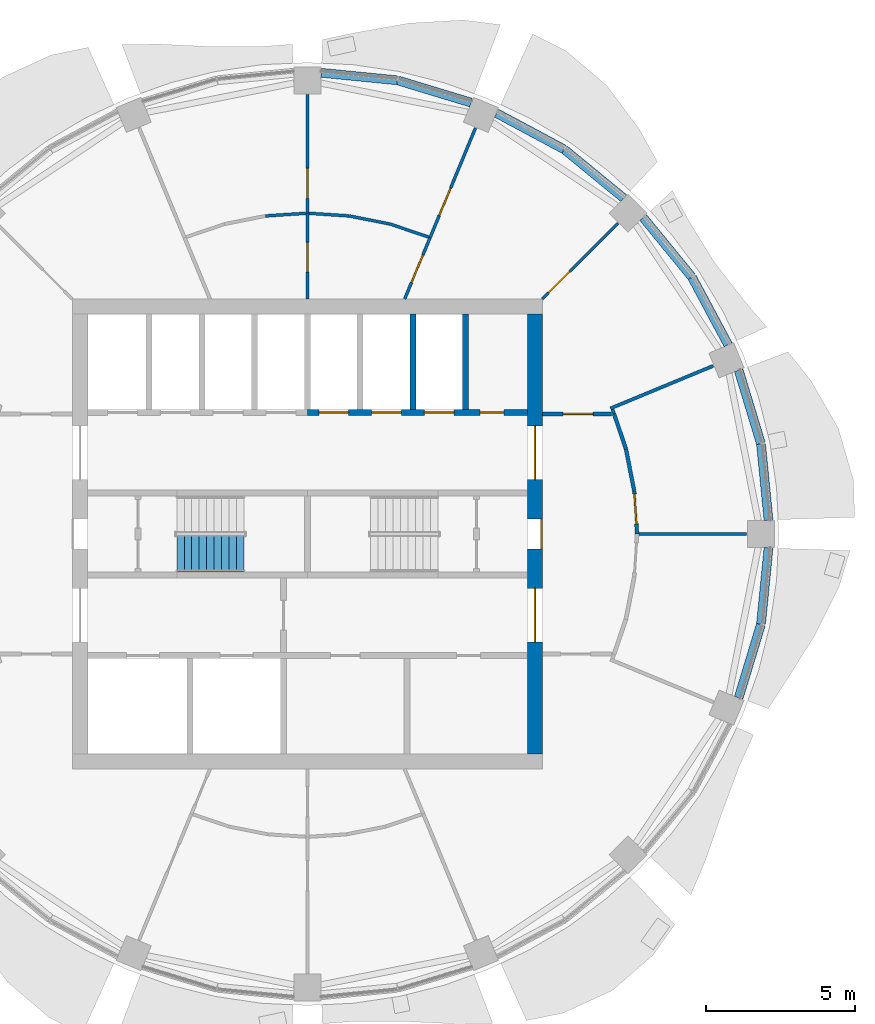
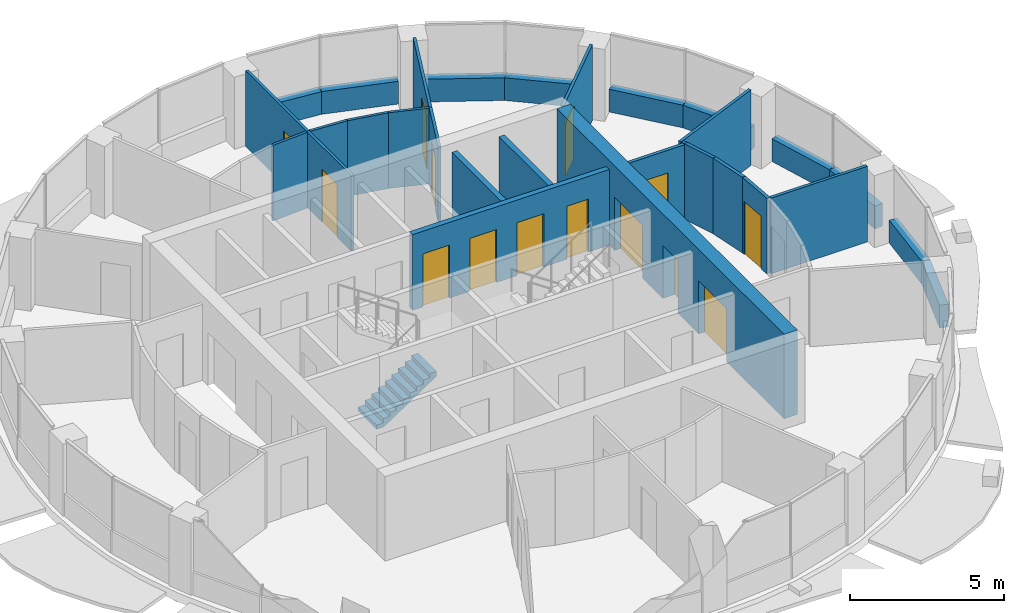
# One storey, part 9 of 14: 30 walls, 14 doors, 1 stair flight, 14 openings, 1 element without a shape of its own.
"""IFC4 building model written with IfcOpenShell, lengths in metres."""

from ifc_helpers import new_model, si_unit, direction, frame, frame_2d, origin, place, context, subcontext, project, spatial, polyline, rectangle, outline, extrude, material, layer, layer_set, type_object, element, fill, aggregate, save


model = new_model("IFC4")

# Units and contexts
model_context = context("Model", 3, precision=1e-05, world=origin(), true_north=direction((0.0, 1.0)))
body_context = subcontext(model_context, "Body", "Model", "MODEL_VIEW")
ifc_project = project(units=[si_unit("LENGTHUNIT", "METRE"), si_unit("AREAUNIT", "SQUARE_METRE"), si_unit("VOLUMEUNIT", "CUBIC_METRE"), si_unit("PLANEANGLEUNIT", "RADIAN"), si_unit("MASSUNIT", "GRAM", prefix="KILO")], contexts=[model_context])

# Site, building, storey
site_placement = place(None, origin())
site = spatial("IfcSite", under=ifc_project, at=site_placement, CompositionType="ELEMENT")
building_placement = place(site_placement, origin())
building = spatial("IfcBuilding", under=site, at=building_placement, Name="Polderwave Tower", CompositionType="ELEMENT")
storey_placement = place(building_placement, frame((0.0, 0.0, 221.14990234375)))
storey = spatial("IfcBuildingStorey", under=building, at=storey_placement, Name="L60", CompositionType="ELEMENT", Elevation=221.14990234375)

# Wall, openings, doors
ifc_material_1 = material(Name="Concrete C60/75", Category="concrete")
ifc_layer_1 = layer(ifc_material_1, 0.5)
ifc_layer_set_1 = layer_set([ifc_layer_1], Name="CORE WALL 500 C60/75")
wall_type_1 = type_object("IfcWallType", Name="CORE WALL 500 C60/75", PredefinedType="SHEAR", material=ifc_layer_set_1)
wall_1_placement = place(storey_placement, frame((7.6240234375, -7.3740234375, 0.0), z_axis=(0.0, 0.0, 1.0), x_axis=(0.0, 1.0, 0.0)))
wall_1 = element("IfcWall", 1, at=wall_1_placement, inside=storey, type_object=wall_type_1, Name="ST-CORE-L60-E", PredefinedType="SHEAR", context=body_context, shape_type="SweptSolid", body=[
    extrude(rectangle(XDim=14.748046875, YDim=0.5, at=frame_2d((7.3740234375, 0.0))), origin(), (0.0, 0.0, 1.0), 3.35009765625),
])
opening_1_placement = place(wall_1_placement, frame((6.8740234375, 0.0, 0.0)))
opening_1 = element("IfcOpeningElement", 2, at=opening_1_placement, cuts=wall_1, Name="Opening L60-D21", PredefinedType="OPENING", context=body_context, shape_type="SweptSolid", body=[
    extrude(rectangle(XDim=1.0, YDim=2.10009765625, at=frame_2d((0.5, 1.050048828125))), frame((0.0, 0.260009765625, 0.0), z_axis=(0.0, -1.0, 0.0), x_axis=(1.0, 0.0, 0.0)), (0.0, 0.0, 1.0), 0.52001953125),
])
opening_2_placement = place(wall_1_placement, frame((3.74951171875, 0.0, 0.0)))
opening_2 = element("IfcOpeningElement", 3, at=opening_2_placement, cuts=wall_1, Name="Opening L60-D22", PredefinedType="OPENING", context=body_context, shape_type="SweptSolid", body=[
    extrude(rectangle(XDim=1.800048828125, YDim=2.10009765625, at=frame_2d((0.89990234375, 1.050048828125))), frame((0.0, 0.260009765625, 0.0), z_axis=(0.0, -1.0, 0.0), x_axis=(1.0, 0.0, 0.0)), (0.0, 0.0, 1.0), 0.52001953125),
])
opening_3_placement = place(wall_1_placement, frame((9.198486328125, 0.0, 0.0)))
opening_3 = element("IfcOpeningElement", 4, at=opening_3_placement, cuts=wall_1, Name="Opening L60-D23", PredefinedType="OPENING", context=body_context, shape_type="SweptSolid", body=[
    extrude(rectangle(XDim=1.800048828125, YDim=2.10009765625, at=frame_2d((0.89990234375, 1.050048828125))), frame((0.0, 0.260009765625, 0.0), z_axis=(0.0, -1.0, 0.0), x_axis=(1.0, 0.0, 0.0)), (0.0, 0.0, 1.0), 0.52001953125),
])
ifc_material_2 = material(Name="Steel fire door", Category="steel")
door_type_1 = type_object("IfcDoorType", Name="Lobby entry door pair 1800", OperationType="DOUBLE_DOOR_SINGLE_SWING", PredefinedType="DOOR", material=ifc_material_2)
door_1_placement = place(opening_2_placement, frame((1.800048828125, 0.0, 0.0), z_axis=(0.0, 0.0, 1.0), x_axis=(-1.0, 0.0, 0.0)))
door_1 = element("IfcDoor", 5, at=door_1_placement, inside=storey, type_object=door_type_1, Name="South lobby entry door", OperationType="DOUBLE_DOOR_SINGLE_SWING", OverallHeight=2.10009765625, OverallWidth=1.800048828125, PredefinedType="DOOR", context=body_context, shape_type="SweptSolid", body=[
    extrude(rectangle(XDim=1.800048828125, YDim=2.10009765625, at=frame_2d((0.89990234375, 1.050048828125))), frame((0.0, 0.02490234375, 0.0), z_axis=(0.0, -1.0, 0.0), x_axis=(1.0, 0.0, 0.0)), (0.0, 0.0, 1.0), 0.050048828125),
])
fill(opening_2, door_1)
door_2_placement = place(opening_3_placement, frame((1.800048828125, 0.0, 0.0), z_axis=(0.0, 0.0, 1.0), x_axis=(-1.0, 0.0, 0.0)))
door_2 = element("IfcDoor", 6, at=door_2_placement, inside=storey, type_object=door_type_1, Name="North lobby entry door", OperationType="DOUBLE_DOOR_SINGLE_SWING", OverallHeight=2.10009765625, OverallWidth=1.800048828125, PredefinedType="DOOR", context=body_context, shape_type="SweptSolid", body=[
    extrude(rectangle(XDim=1.800048828125, YDim=2.10009765625, at=frame_2d((0.89990234375, 1.050048828125))), frame((0.0, 0.02490234375, 0.0), z_axis=(0.0, -1.0, 0.0), x_axis=(1.0, 0.0, 0.0)), (0.0, 0.0, 1.0), 0.050048828125),
])
fill(opening_3, door_2)
door_type_2 = type_object("IfcDoorType", Name="Stair door 1000", OperationType="NOTDEFINED", PredefinedType="DOOR", material=ifc_material_2)
door_3_placement = place(opening_1_placement, frame((1.0, 0.0, 0.0), z_axis=(0.0, 0.0, 1.0), x_axis=(-1.0, 0.0, 0.0)))
door_3 = element("IfcDoor", 7, at=door_3_placement, inside=storey, type_object=door_type_2, Name="Stair B entry door", OperationType="SINGLE_SWING_LEFT", OverallHeight=2.10009765625, OverallWidth=1.0, PredefinedType="DOOR", context=body_context, shape_type="SweptSolid", body=[
    extrude(rectangle(XDim=1.0, YDim=2.10009765625, at=frame_2d((0.5, 1.050048828125))), frame((0.0, 0.25, 0.0), z_axis=(0.0, -1.0, 0.0), x_axis=(1.0, 0.0, 0.0)), (0.0, 0.0, 1.0), 0.050048828125),
])
fill(opening_1, door_3)

# Walls
ifc_material_3 = material(Name="Concrete C50/60 (board-marked)", Category="concrete")
ifc_layer_2 = layer(ifc_material_3, 0.300048828125)
ifc_layer_set_2 = layer_set([ifc_layer_2], Name="Concrete spandrel upstand C50/60")
wall_type_2 = type_object("IfcWallType", Name="Concrete spandrel upstand C50/60", PredefinedType="SOLIDWALL", material=ifc_layer_set_2)
wall_2_placement = place(storey_placement, frame((15.45458984375, 0.4638671875, 0.0), z_axis=(0.0, 0.0, 1.0), x_axis=(-0.09813315545, 0.995173293352, 0.0)))
element("IfcWall", 8, at=wall_2_placement, inside=storey, type_object=wall_type_2, Name="Spandrel L60 1a", PredefinedType="SOLIDWALL", context=body_context, shape_type="SweptSolid", body=[
    extrude(rectangle(XDim=2.5576171875, YDim=0.300048828125, at=frame_2d((1.27880859375, 0.0))), origin(), (0.0, 0.0, 1.0), 0.900146484375),
])
wall_3_placement = place(storey_placement, frame((15.197509765625, 3.038330078125, 0.0), z_axis=(0.0, 0.0, 1.0), x_axis=(-0.290219358397, 0.956960147557, 0.0)))
element("IfcWall", 9, at=wall_3_placement, inside=storey, type_object=wall_type_2, Name="Spandrel L60 1b", PredefinedType="SOLIDWALL", context=body_context, shape_type="SweptSolid", body=[
    extrude(rectangle(XDim=2.557373046875, YDim=0.300048828125, at=frame_2d((1.27880859375, 0.0))), origin(), (0.0, 0.0, 1.0), 0.900146484375),
])
wall_4_placement = place(storey_placement, frame((14.099853515625, 6.34326171875, 0.0), z_axis=(0.0, 0.0, 1.0), x_axis=(-0.471603904468, 0.881810499649, 0.0)))
element("IfcWall", 10, at=wall_4_placement, inside=storey, type_object=wall_type_2, Name="Spandrel L60 2a", PredefinedType="SOLIDWALL", context=body_context, shape_type="SweptSolid", body=[
    extrude(rectangle(XDim=2.556884765625, YDim=0.300048828125, at=frame_2d((1.2783203125, 0.0))), origin(), (0.0, 0.0, 1.0), 0.900146484375),
])
for number, where, z_axis, x_axis, name in (
    (11, (12.87744140625, 8.62255859375, 0.0), (0.0, 0.0, 1.0), (-0.634089861662, 0.773259366149, 0.0), "Spandrel L60 2b"),
    (12, (10.600341796875, 11.255615234375, 0.0), (0.0, 0.0, 1.0), (-0.773259366149, 0.634089861662, 0.0), "Spandrel L60 3a"),
):
    element("IfcWall", number, at=place(storey_placement, frame(where, z_axis=z_axis, x_axis=x_axis)), inside=storey, type_object=wall_type_2, Name=name, PredefinedType="SOLIDWALL", context=body_context, shape_type="SweptSolid", body=[
        extrude(rectangle(XDim=2.5576171875, YDim=0.300048828125, at=frame_2d((1.27880859375, 0.0))), origin(), (0.0, 0.0, 1.0), 0.900146484375),
    ])
wall_5_placement = place(storey_placement, frame((8.597900390625, 12.89404296875, 0.0), z_axis=(0.0, 0.0, 1.0), x_axis=(-0.881810499649, 0.471603904468, 0.0)))
element("IfcWall", 13, at=wall_5_placement, inside=storey, type_object=wall_type_2, Name="Spandrel L60 3b", PredefinedType="SOLIDWALL", context=body_context, shape_type="SweptSolid", body=[
    extrude(rectangle(XDim=2.556884765625, YDim=0.300048828125, at=frame_2d((1.2783203125, 0.0))), origin(), (0.0, 0.0, 1.0), 0.900146484375),
])
wall_6_placement = place(storey_placement, frame((5.485595703125, 14.455322265625, 0.0), z_axis=(0.0, 0.0, 1.0), x_axis=(-0.956960147557, 0.290219358397, 0.0)))
element("IfcWall", 14, at=wall_6_placement, inside=storey, type_object=wall_type_2, Name="Spandrel L60 4a", PredefinedType="SOLIDWALL", context=body_context, shape_type="SweptSolid", body=[
    extrude(rectangle(XDim=2.557373046875, YDim=0.300048828125, at=frame_2d((1.27880859375, 0.0))), origin(), (0.0, 0.0, 1.0), 0.900146484375),
])
wall_7_placement = place(storey_placement, frame((3.009033203125, 15.20361328125, 0.0), z_axis=(0.0, 0.0, 1.0), x_axis=(-0.995173293352, 0.09813315545, 0.0)))
element("IfcWall", 15, at=wall_7_placement, inside=storey, type_object=wall_type_2, Name="Spandrel L60 4b", PredefinedType="SOLIDWALL", context=body_context, shape_type="SweptSolid", body=[
    extrude(rectangle(XDim=2.5576171875, YDim=0.300048828125, at=frame_2d((1.27880859375, 0.0))), origin(), (0.0, 0.0, 1.0), 0.900146484375),
])
wall_8_placement = place(storey_placement, frame((14.455322265625, -5.485595703125, 0.0), z_axis=(0.0, 0.0, 1.0), x_axis=(0.290219358397, 0.956960147557, 0.0)))
element("IfcWall", 16, at=wall_8_placement, inside=storey, type_object=wall_type_2, Name="Spandrel L60 16a", PredefinedType="SOLIDWALL", context=body_context, shape_type="SweptSolid", body=[
    extrude(rectangle(XDim=2.557373046875, YDim=0.300048828125, at=frame_2d((1.27880859375, 0.0))), origin(), (0.0, 0.0, 1.0), 0.900146484375),
])
wall_9_placement = place(storey_placement, frame((15.20361328125, -3.009033203125, 0.0), z_axis=(0.0, 0.0, 1.0), x_axis=(0.09813315545, 0.995173293352, 0.0)))
element("IfcWall", 17, at=wall_9_placement, inside=storey, type_object=wall_type_2, Name="Spandrel L60 16b", PredefinedType="SOLIDWALL", context=body_context, shape_type="SweptSolid", body=[
    extrude(rectangle(XDim=2.5576171875, YDim=0.300048828125, at=frame_2d((1.27880859375, 0.0))), origin(), (0.0, 0.0, 1.0), 0.900146484375),
])

# Wall, openings, doors
ifc_material_4 = material(Name="Concrete C50/60", Category="concrete")
ifc_layer_3 = layer(ifc_material_4, 0.199951171875)
ifc_layer_set_3 = layer_set([ifc_layer_3], Name="Core web wall 200")
wall_type_3 = type_object("IfcWallType", Name="Core web wall 200", PredefinedType="SHEAR", material=ifc_layer_set_3)
wall_10_placement = place(storey_placement, frame((0.0, 4.073974609375, 0.0), z_axis=(0.0, 0.0, 1.0), x_axis=(1.0, 0.0, 0.0)))
wall_10 = element("IfcWall", 18, at=wall_10_placement, inside=storey, type_object=wall_type_3, Name="L60 north front wall 2", PredefinedType="SHEAR", context=body_context, shape_type="SweptSolid", body=[
    extrude(rectangle(XDim=7.3740234375, YDim=0.199951171875, at=frame_2d((3.68701171875, 0.0))), origin(), (0.0, 0.0, 1.0), 3.0),
])
opening_4_placement = place(wall_10_placement, frame((0.38427734375, 0.0, 0.0)))
opening_4 = element("IfcOpeningElement", 19, at=opening_4_placement, cuts=wall_10, Name="Opening L60-D07", PredefinedType="OPENING", context=body_context, shape_type="SweptSolid", body=[
    extrude(rectangle(XDim=1.0, YDim=2.10009765625, at=frame_2d((0.5, 1.050048828125))), frame((0.0, 0.10986328125, 0.0), z_axis=(0.0, -1.0, 0.0), x_axis=(1.0, 0.0, 0.0)), (0.0, 0.0, 1.0), 0.219970703125),
])
opening_5_placement = place(wall_10_placement, frame((2.15283203125, 0.0, 0.0)))
opening_5 = element("IfcOpeningElement", 20, at=opening_5_placement, cuts=wall_10, Name="Opening L60-D08", PredefinedType="OPENING", context=body_context, shape_type="SweptSolid", body=[
    extrude(rectangle(XDim=1.0, YDim=2.10009765625, at=frame_2d((0.5, 1.050048828125))), frame((0.0, 0.10986328125, 0.0), z_axis=(0.0, -1.0, 0.0), x_axis=(1.0, 0.0, 0.0)), (0.0, 0.0, 1.0), 0.219970703125),
])
opening_6_placement = place(wall_10_placement, frame((3.921142578125, 0.0, 0.0)))
opening_6 = element("IfcOpeningElement", 21, at=opening_6_placement, cuts=wall_10, Name="Opening L60-D09", PredefinedType="OPENING", context=body_context, shape_type="SweptSolid", body=[
    extrude(rectangle(XDim=1.0, YDim=2.10009765625, at=frame_2d((0.5, 1.050048828125))), frame((0.0, 0.10986328125, 0.0), z_axis=(0.0, -1.0, 0.0), x_axis=(1.0, 0.0, 0.0)), (0.0, 0.0, 1.0), 0.219970703125),
])
opening_7_placement = place(wall_10_placement, frame((5.789794921875, 0.0, 0.0)))
opening_7 = element("IfcOpeningElement", 22, at=opening_7_placement, cuts=wall_10, Name="Opening L60-D17", PredefinedType="OPENING", context=body_context, shape_type="SweptSolid", body=[
    extrude(rectangle(XDim=0.800048828125, YDim=2.10009765625, at=frame_2d((0.39990234375, 1.050048828125))), frame((0.0, 0.10986328125, 0.0), z_axis=(0.0, -1.0, 0.0), x_axis=(1.0, 0.0, 0.0)), (0.0, 0.0, 1.0), 0.219970703125),
])
ifc_material_5 = material(Name="Stainless steel", Category="steel")
door_type_3 = type_object("IfcDoorType", Name="Lift landing door 1000", OperationType="DOUBLE_DOOR_SLIDING", PredefinedType="DOOR", material=ifc_material_5)
door_4_placement = place(opening_4_placement, frame((1.0, 0.0, 0.0), z_axis=(0.0, 0.0, 1.0), x_axis=(-1.0, 0.0, 0.0)))
door_4 = element("IfcDoor", 23, at=door_4_placement, inside=storey, type_object=door_type_3, Name="Lift HL5 landing door", OperationType="DOUBLE_DOOR_SLIDING", OverallHeight=2.10009765625, OverallWidth=1.0, PredefinedType="DOOR", context=body_context, shape_type="SweptSolid", body=[
    extrude(rectangle(XDim=1.0, YDim=2.10009765625, at=frame_2d((0.5, 1.050048828125))), frame((0.0, 0.02490234375, 0.0), z_axis=(0.0, -1.0, 0.0), x_axis=(1.0, 0.0, 0.0)), (0.0, 0.0, 1.0), 0.050048828125),
])
fill(opening_4, door_4)
door_5_placement = place(opening_5_placement, frame((1.0, 0.0, 0.0), z_axis=(0.0, 0.0, 1.0), x_axis=(-1.0, 0.0, 0.0)))
door_5 = element("IfcDoor", 24, at=door_5_placement, inside=storey, type_object=door_type_3, Name="Lift HL6 landing door", OperationType="DOUBLE_DOOR_SLIDING", OverallHeight=2.10009765625, OverallWidth=1.0, PredefinedType="DOOR", context=body_context, shape_type="SweptSolid", body=[
    extrude(rectangle(XDim=1.0, YDim=2.10009765625, at=frame_2d((0.5, 1.050048828125))), frame((0.0, 0.02490234375, 0.0), z_axis=(0.0, -1.0, 0.0), x_axis=(1.0, 0.0, 0.0)), (0.0, 0.0, 1.0), 0.050048828125),
])
fill(opening_5, door_5)
door_6_placement = place(opening_6_placement, frame((1.0, 0.0, 0.0), z_axis=(0.0, 0.0, 1.0), x_axis=(-1.0, 0.0, 0.0)))
door_6 = element("IfcDoor", 25, at=door_6_placement, inside=storey, type_object=door_type_3, Name="Lift HL7 landing door", OperationType="DOUBLE_DOOR_SLIDING", OverallHeight=2.10009765625, OverallWidth=1.0, PredefinedType="DOOR", context=body_context, shape_type="SweptSolid", body=[
    extrude(rectangle(XDim=1.0, YDim=2.10009765625, at=frame_2d((0.5, 1.050048828125))), frame((0.0, 0.02490234375, 0.0), z_axis=(0.0, -1.0, 0.0), x_axis=(1.0, 0.0, 0.0)), (0.0, 0.0, 1.0), 0.050048828125),
])
fill(opening_6, door_6)
door_type_4 = type_object("IfcDoorType", Name="Riser door 800", OperationType="NOTDEFINED", PredefinedType="DOOR", material=ifc_material_2)
door_7_placement = place(opening_7_placement, frame((0.800048828125, 0.0, 0.0), z_axis=(0.0, 0.0, 1.0), x_axis=(-1.0, 0.0, 0.0)))
door_7 = element("IfcDoor", 26, at=door_7_placement, inside=storey, type_object=door_type_4, Name="Riser door", OperationType="SINGLE_SWING_LEFT", OverallHeight=2.10009765625, OverallWidth=0.800048828125, PredefinedType="DOOR", context=body_context, shape_type="SweptSolid", body=[
    extrude(rectangle(XDim=0.800048828125, YDim=2.10009765625, at=frame_2d((0.39990234375, 1.050048828125))), frame((0.0, 0.02490234375, 0.0), z_axis=(0.0, -1.0, 0.0), x_axis=(1.0, 0.0, 0.0)), (0.0, 0.0, 1.0), 0.050048828125),
])
fill(opening_7, door_7)

# Walls
ifc_material_6 = material(Name="Fire-resisting board on steel studs", Category="steel")
ifc_layer_4 = layer(ifc_material_6, 0.125)
ifc_layer_set_4 = layer_set([ifc_layer_4], Name="Corridor wall 125 mm EI 60")
wall_type_4 = type_object("IfcWallType", Name="Corridor wall 125 mm EI 60", PredefinedType="PARTITIONING", material=ifc_layer_set_4)
wall_11_placement = place(storey_placement, frame((10.2783203125, 4.0244140625, 0.0), z_axis=(0.0, 0.0, 1.0), x_axis=(0.321363343769, -0.946955965862, 0.0)))
element("IfcWall", 27, at=wall_11_placement, inside=storey, type_object=wall_type_4, Name="IN-L60-W001", PredefinedType="PARTITIONING", context=body_context, shape_type="SweptSolid", body=[
    extrude(rectangle(XDim=1.225341796875, YDim=0.125, at=frame_2d((0.61279296875, 0.0))), origin(), (0.0, 0.0, 1.0), 3.0),
])
wall_12_placement = place(storey_placement, frame((10.67431640625, 2.85595703125, 0.0), z_axis=(0.0, 0.0, 1.0), x_axis=(0.195005351681, -0.980802178228, 0.0)))
element("IfcWall", 28, at=wall_12_placement, inside=storey, type_object=wall_type_4, Name="IN-L60-W002", PredefinedType="PARTITIONING", context=body_context, shape_type="SweptSolid", body=[
    extrude(rectangle(XDim=1.437255859375, YDim=0.125, at=frame_2d((0.71875, 0.0))), origin(), (0.0, 0.0, 1.0), 3.0),
])

# Wall, opening, door
wall_13_placement = place(storey_placement, frame((10.955810546875, 1.438232421875, 0.0), z_axis=(0.0, 0.0, 1.0), x_axis=(0.065383473363, -0.997860211358, 0.0)))
wall_13 = element("IfcWall", 29, at=wall_13_placement, inside=storey, type_object=wall_type_4, Name="IN-L60-W003", PredefinedType="PARTITIONING", context=body_context, shape_type="SweptSolid", body=[
    extrude(rectangle(XDim=1.44140625, YDim=0.125, at=frame_2d((0.720703125, 0.0))), origin(), (0.0, 0.0, 1.0), 3.0),
])
opening_8_placement = place(wall_13_placement, frame((0.10009765625, 0.0, 0.0)))
opening_8 = element("IfcOpeningElement", 30, at=opening_8_placement, cuts=wall_13, Name="Opening L60-D50", PredefinedType="OPENING", context=body_context, shape_type="SweptSolid", body=[
    extrude(rectangle(XDim=1.0, YDim=2.10009765625, at=frame_2d((0.5, 1.050048828125))), frame((0.0, 0.072509765625, 0.0), z_axis=(0.0, -1.0, 0.0), x_axis=(1.0, 0.0, 0.0)), (0.0, 0.0, 1.0), 0.14501953125),
])
ifc_material_7 = material(Name="Timber fire door leaf", Category="wood")
door_type_5 = type_object("IfcDoorType", Name="Fire door FD30S 1000 x 2100", OperationType="NOTDEFINED", PredefinedType="DOOR", material=ifc_material_7)
door_8_placement = place(opening_8_placement, origin())
door_8 = element("IfcDoor", 31, at=door_8_placement, inside=storey, type_object=door_type_5, Name="Door L60-D50", OperationType="SINGLE_SWING_LEFT", OverallHeight=2.10009765625, OverallWidth=1.0, PredefinedType="DOOR", context=body_context, shape_type="SweptSolid", body=[
    extrude(rectangle(XDim=1.0, YDim=2.10009765625, at=frame_2d((0.5, 1.050048828125))), frame((0.0, 0.02490234375, 0.0), z_axis=(0.0, -1.0, 0.0), x_axis=(1.0, 0.0, 0.0)), (0.0, 0.0, 1.0), 0.050048828125),
])
fill(opening_8, door_8)

wall_14_placement = place(storey_placement, frame((7.8740234375, 4.0244140625, 0.0), z_axis=(0.0, 0.0, 1.0), x_axis=(1.0, 0.0, 0.0)))
wall_14 = element("IfcWall", 32, at=wall_14_placement, inside=storey, type_object=wall_type_4, Name="IN-L60-W004", PredefinedType="PARTITIONING", context=body_context, shape_type="SweptSolid", body=[
    extrude(rectangle(XDim=2.31689453125, YDim=0.125, at=frame_2d((1.158447265625, 0.0))), origin(), (0.0, 0.0, 1.0), 3.0),
])
opening_9_placement = place(wall_14_placement, frame((0.699951171875, 0.0, 0.0)))
opening_9 = element("IfcOpeningElement", 33, at=opening_9_placement, cuts=wall_14, Name="Opening L60-D51", PredefinedType="OPENING", context=body_context, shape_type="SweptSolid", body=[
    extrude(rectangle(XDim=1.0, YDim=2.10009765625, at=frame_2d((0.5, 1.050048828125))), frame((0.0, 0.072509765625, 0.0), z_axis=(0.0, -1.0, 0.0), x_axis=(1.0, 0.0, 0.0)), (0.0, 0.0, 1.0), 0.14501953125),
])
door_9_placement = place(opening_9_placement, origin())
door_9 = element("IfcDoor", 34, at=door_9_placement, inside=storey, type_object=door_type_5, Name="Door L60-D51", OperationType="SINGLE_SWING_RIGHT", OverallHeight=2.10009765625, OverallWidth=1.0, PredefinedType="DOOR", context=body_context, shape_type="SweptSolid", body=[
    extrude(rectangle(XDim=1.0, YDim=2.10009765625, at=frame_2d((0.5, 1.050048828125))), frame((0.0, 0.02490234375, 0.0), z_axis=(0.0, -1.0, 0.0), x_axis=(1.0, 0.0, 0.0)), (0.0, 0.0, 1.0), 0.050048828125),
])
fill(opening_9, door_9)

ifc_material_8 = material(Name="Plasterboard on steel studs", Category="steel")
ifc_layer_5 = layer(ifc_material_8, 0.10009765625)
ifc_layer_set_5 = layer_set([ifc_layer_5], Name="Partition 100 mm plasterboard on steel studs")
wall_type_5 = type_object("IfcWallType", Name="Partition 100 mm plasterboard on steel studs", PredefinedType="PARTITIONING", material=ifc_layer_set_5)
wall_15_placement = place(storey_placement, frame((7.8740234375, 7.8740234375, 0.0), z_axis=(0.0, 0.0, 1.0), x_axis=(0.707106781187, 0.707106781187, 0.0)))
wall_15 = element("IfcWall", 35, at=wall_15_placement, inside=storey, type_object=wall_type_5, Name="IN-L60-W020", PredefinedType="PARTITIONING", context=body_context, shape_type="SweptSolid", body=[
    extrude(rectangle(XDim=3.58447265625, YDim=0.10009765625, at=frame_2d((1.792236328125, 0.0))), origin(), (0.0, 0.0, 1.0), 3.0),
])
opening_10_placement = place(wall_15_placement, frame((0.300048828125, 0.0, 0.0)))
opening_10 = element("IfcOpeningElement", 36, at=opening_10_placement, cuts=wall_15, Name="Opening L60-D57", PredefinedType="OPENING", context=body_context, shape_type="SweptSolid", body=[
    extrude(rectangle(XDim=1.0, YDim=2.10009765625, at=frame_2d((0.5, 1.050048828125))), frame((0.0, 0.06005859375, 0.0), z_axis=(0.0, -1.0, 0.0), x_axis=(1.0, 0.0, 0.0)), (0.0, 0.0, 1.0), 0.1201171875),
])
ifc_material_9 = material(Name="Timber veneer door leaf", Category="wood")
door_type_6 = type_object("IfcDoorType", Name="Single door 1000 x 2100", OperationType="NOTDEFINED", PredefinedType="DOOR", material=ifc_material_9)
door_10_placement = place(opening_10_placement, origin())
door_10 = element("IfcDoor", 37, at=door_10_placement, inside=storey, type_object=door_type_6, Name="Door L60-D57", OperationType="SINGLE_SWING_LEFT", OverallHeight=2.10009765625, OverallWidth=1.0, PredefinedType="DOOR", context=body_context, shape_type="SweptSolid", body=[
    extrude(rectangle(XDim=1.0, YDim=2.10009765625, at=frame_2d((0.5, 1.050048828125))), frame((0.0, 0.02490234375, 0.0), z_axis=(0.0, -1.0, 0.0), x_axis=(1.0, 0.0, 0.0)), (0.0, 0.0, 1.0), 0.050048828125),
])
fill(opening_10, door_10)

# Walls
wall_16_placement = place(storey_placement, frame((0.05322265625, 10.74658203125, 0.0), z_axis=(0.0, 0.0, 1.0), x_axis=(0.99785346224, -0.06548639473, 0.0)))
element("IfcWall", 38, at=wall_16_placement, inside=storey, type_object=wall_type_5, Name="IN-L60-W021", PredefinedType="PARTITIONING", context=body_context, shape_type="SweptSolid", body=[
    extrude(rectangle(XDim=1.349609375, YDim=0.10009765625, at=frame_2d((0.6748046875, 0.0))), origin(), (0.0, 0.0, 1.0), 3.0),
])
wall_17_placement = place(storey_placement, frame((1.406494140625, 10.657470703125, 0.0), z_axis=(0.0, 0.0, 1.0), x_axis=(0.980761417594, -0.19521025014, 0.0)))
element("IfcWall", 39, at=wall_17_placement, inside=storey, type_object=wall_type_5, Name="IN-L60-W022", PredefinedType="PARTITIONING", context=body_context, shape_type="SweptSolid", body=[
    extrude(rectangle(XDim=1.3994140625, YDim=0.10009765625, at=frame_2d((0.69970703125, 0.0))), origin(), (0.0, 0.0, 1.0), 3.0),
])
wall_18_placement = place(storey_placement, frame((2.785400390625, 10.382568359375, 0.0), z_axis=(0.0, 0.0, 1.0), x_axis=(0.946968869726, -0.32132531766, 0.0)))
element("IfcWall", 40, at=wall_18_placement, inside=storey, type_object=wall_type_5, Name="IN-L60-W023", PredefinedType="PARTITIONING", context=body_context, shape_type="SweptSolid", body=[
    extrude(rectangle(XDim=1.349365234375, YDim=0.10009765625, at=frame_2d((0.6748046875, 0.0))), origin(), (0.0, 0.0, 1.0), 3.0),
])

# Wall, opening, door
wall_19_placement = place(storey_placement, frame((3.261474609375, 7.8740234375, 0.0), z_axis=(0.0, 0.0, 1.0), x_axis=(0.382684189911, 0.923879218725, 0.0)))
wall_19 = element("IfcWall", 41, at=wall_19_placement, inside=storey, type_object=wall_type_5, Name="IN-L60-W024", PredefinedType="PARTITIONING", context=body_context, shape_type="SweptSolid", body=[
    extrude(rectangle(XDim=2.22705078125, YDim=0.10009765625, at=frame_2d((1.113525390625, 0.0))), origin(), (0.0, 0.0, 1.0), 3.0),
])
opening_11_placement = place(wall_19_placement, frame((0.60009765625, 0.0, 0.0)))
opening_11 = element("IfcOpeningElement", 42, at=opening_11_placement, cuts=wall_19, Name="Opening L60-D58", PredefinedType="OPENING", context=body_context, shape_type="SweptSolid", body=[
    extrude(rectangle(XDim=1.0, YDim=2.10009765625, at=frame_2d((0.5, 1.050048828125))), frame((0.0, 0.06005859375, 0.0), z_axis=(0.0, -1.0, 0.0), x_axis=(1.0, 0.0, 0.0)), (0.0, 0.0, 1.0), 0.1201171875),
])
door_11_placement = place(opening_11_placement, origin())
door_11 = element("IfcDoor", 43, at=door_11_placement, inside=storey, type_object=door_type_6, Name="Door L60-D58", OperationType="SINGLE_SWING_LEFT", OverallHeight=2.10009765625, OverallWidth=1.0, PredefinedType="DOOR", context=body_context, shape_type="SweptSolid", body=[
    extrude(rectangle(XDim=1.0, YDim=2.10009765625, at=frame_2d((0.5, 1.050048828125))), frame((0.0, 0.02490234375, 0.0), z_axis=(0.0, -1.0, 0.0), x_axis=(1.0, 0.0, 0.0)), (0.0, 0.0, 1.0), 0.050048828125),
])
fill(opening_11, door_11)

wall_20_placement = place(storey_placement, frame((0.0, 7.8740234375, 0.0), z_axis=(0.0, 0.0, 1.0), x_axis=(0.0, 1.0, 0.0)))
wall_20 = element("IfcWall", 44, at=wall_20_placement, inside=storey, type_object=wall_type_5, Name="IN-L60-W025", PredefinedType="PARTITIONING", context=body_context, shape_type="SweptSolid", body=[
    extrude(rectangle(XDim=2.8759765625, YDim=0.10009765625, at=frame_2d((1.43798828125, 0.0))), origin(), (0.0, 0.0, 1.0), 3.0),
])
opening_12_placement = place(wall_20_placement, frame((0.89990234375, 0.0, 0.0)))
opening_12 = element("IfcOpeningElement", 45, at=opening_12_placement, cuts=wall_20, Name="Opening L60-D59", PredefinedType="OPENING", context=body_context, shape_type="SweptSolid", body=[
    extrude(rectangle(XDim=1.0, YDim=2.10009765625, at=frame_2d((0.5, 1.050048828125))), frame((0.0, 0.06005859375, 0.0), z_axis=(0.0, -1.0, 0.0), x_axis=(1.0, 0.0, 0.0)), (0.0, 0.0, 1.0), 0.1201171875),
])
door_12_placement = place(opening_12_placement, origin())
door_12 = element("IfcDoor", 46, at=door_12_placement, inside=storey, type_object=door_type_6, Name="Door L60-D59", OperationType="SINGLE_SWING_LEFT", OverallHeight=2.10009765625, OverallWidth=1.0, PredefinedType="DOOR", context=body_context, shape_type="SweptSolid", body=[
    extrude(rectangle(XDim=1.0, YDim=2.10009765625, at=frame_2d((0.5, 1.050048828125))), frame((0.0, 0.02490234375, 0.0), z_axis=(0.0, -1.0, 0.0), x_axis=(1.0, 0.0, 0.0)), (0.0, 0.0, 1.0), 0.050048828125),
])
fill(opening_12, door_12)

wall_21_placement = place(storey_placement, frame((4.11376953125, 9.931640625, 0.0), z_axis=(0.0, 0.0, 1.0), x_axis=(0.382675844596, 0.923882675432, 0.0)))
wall_21 = element("IfcWall", 47, at=wall_21_placement, inside=storey, type_object=wall_type_5, Name="IN-L60-W026", PredefinedType="PARTITIONING", context=body_context, shape_type="SweptSolid", body=[
    extrude(rectangle(XDim=3.97021484375, YDim=0.10009765625, at=frame_2d((1.985107421875, 0.0))), origin(), (0.0, 0.0, 1.0), 3.0),
])
opening_13_placement = place(wall_21_placement, frame((0.800048828125, 0.0, 0.0)))
opening_13 = element("IfcOpeningElement", 48, at=opening_13_placement, cuts=wall_21, Name="Opening L60-D60", PredefinedType="OPENING", context=body_context, shape_type="SweptSolid", body=[
    extrude(rectangle(XDim=1.0, YDim=2.10009765625, at=frame_2d((0.5, 1.050048828125))), frame((0.0, 0.06005859375, 0.0), z_axis=(0.0, -1.0, 0.0), x_axis=(1.0, 0.0, 0.0)), (0.0, 0.0, 1.0), 0.1201171875),
])
door_13_placement = place(opening_13_placement, origin())
door_13 = element("IfcDoor", 49, at=door_13_placement, inside=storey, type_object=door_type_6, Name="Door L60-D60", OperationType="SINGLE_SWING_LEFT", OverallHeight=2.10009765625, OverallWidth=1.0, PredefinedType="DOOR", context=body_context, shape_type="SweptSolid", body=[
    extrude(rectangle(XDim=1.0, YDim=2.10009765625, at=frame_2d((0.5, 1.050048828125))), frame((0.0, 0.02490234375, 0.0), z_axis=(0.0, -1.0, 0.0), x_axis=(1.0, 0.0, 0.0)), (0.0, 0.0, 1.0), 0.050048828125),
])
fill(opening_13, door_13)

wall_22_placement = place(storey_placement, frame((0.0, 10.75, 0.0), z_axis=(0.0, 0.0, 1.0), x_axis=(0.0, 1.0, 0.0)))
wall_22 = element("IfcWall", 50, at=wall_22_placement, inside=storey, type_object=wall_type_5, Name="IN-L60-W027", PredefinedType="PARTITIONING", context=body_context, shape_type="SweptSolid", body=[
    extrude(rectangle(XDim=3.969970703125, YDim=0.10009765625, at=frame_2d((1.98486328125, 0.0))), origin(), (0.0, 0.0, 1.0), 3.0),
])
opening_14_placement = place(wall_22_placement, frame((0.5, 0.0, 0.0)))
opening_14 = element("IfcOpeningElement", 51, at=opening_14_placement, cuts=wall_22, Name="Opening L60-D61", PredefinedType="OPENING", context=body_context, shape_type="SweptSolid", body=[
    extrude(rectangle(XDim=1.0, YDim=2.10009765625, at=frame_2d((0.5, 1.050048828125))), frame((0.0, 0.06005859375, 0.0), z_axis=(0.0, -1.0, 0.0), x_axis=(1.0, 0.0, 0.0)), (0.0, 0.0, 1.0), 0.1201171875),
])
door_14_placement = place(opening_14_placement, origin())
door_14 = element("IfcDoor", 52, at=door_14_placement, inside=storey, type_object=door_type_6, Name="Door L60-D61", OperationType="SINGLE_SWING_LEFT", OverallHeight=2.10009765625, OverallWidth=1.0, PredefinedType="DOOR", context=body_context, shape_type="SweptSolid", body=[
    extrude(rectangle(XDim=1.0, YDim=2.10009765625, at=frame_2d((0.5, 1.050048828125))), frame((0.0, 0.02490234375, 0.0), z_axis=(0.0, -1.0, 0.0), x_axis=(1.0, 0.0, 0.0)), (0.0, 0.0, 1.0), 0.050048828125),
])
fill(opening_14, door_14)

# Walls
wall_23_placement = place(storey_placement, frame((-1.39990234375, 10.658203125, 0.0), z_axis=(0.0, 0.0, 1.0), x_axis=(0.99785346224, 0.06548639473, 0.0)))
element("IfcWall", 53, at=wall_23_placement, inside=storey, type_object=wall_type_5, Name="IN-L60-W030", PredefinedType="PARTITIONING", context=body_context, shape_type="SweptSolid", body=[
    extrude(rectangle(XDim=1.349609375, YDim=0.10009765625, at=frame_2d((0.6748046875, 0.0))), origin(), (0.0, 0.0, 1.0), 3.0),
])
ifc_material_10 = material(Name="Acoustic double plasterboard on steel studs", Category="steel")
ifc_layer_6 = layer(ifc_material_10, 0.110107421875)
ifc_layer_set_6 = layer_set([ifc_layer_6], Name="Partition 110 mm acoustic double board")
wall_type_6 = type_object("IfcWallType", Name="Partition 110 mm acoustic double board", PredefinedType="PARTITIONING", material=ifc_layer_set_6)
wall_24_placement = place(storey_placement, frame((10.158203125, 4.207763671875, 0.0), z_axis=(0.0, 0.0, 1.0), x_axis=(0.923897012701, 0.382641228728, 0.0)))
element("IfcWall", 54, at=wall_24_placement, inside=storey, type_object=wall_type_6, Name="IN-L60-W017", PredefinedType="PARTITIONING", context=body_context, shape_type="SweptSolid", body=[
    extrude(rectangle(XDim=3.724853515625, YDim=0.110107421875, at=frame_2d((1.8623046875, 0.0))), origin(), (0.0, 0.0, 1.0), 3.0),
])
wall_25_placement = place(storey_placement, frame((10.2783203125, 4.0244140625, 0.0), z_axis=(0.0, 0.0, 1.0), x_axis=(-0.321819116975, 0.94680117023, 0.0)))
element("IfcWall", 55, at=wall_25_placement, inside=storey, type_object=wall_type_6, Name="IN-L60-W018", PredefinedType="PARTITIONING", context=body_context, shape_type="SweptSolid", body=[
    extrude(rectangle(XDim=0.156982421875, YDim=0.110107421875, at=frame_2d((0.07861328125, 0.0))), origin(), (0.0, 0.0, 1.0), 3.0),
])
wall_26_placement = place(storey_placement, frame((14.719970703125, 0.0, 0.0), z_axis=(0.0, 0.0, 1.0), x_axis=(-1.0, 0.0, 0.0)))
element("IfcWall", 56, at=wall_26_placement, inside=storey, type_object=wall_type_6, Name="IN-L60-W019", PredefinedType="PARTITIONING", context=body_context, shape_type="SweptSolid", body=[
    extrude(rectangle(XDim=3.603759765625, YDim=0.110107421875, at=frame_2d((1.8017578125, 0.0))), origin(), (0.0, 0.0, 1.0), 3.0),
])
ifc_material_11 = material(Name="Gypsum shaft wall system")
ifc_layer_7 = layer(ifc_material_11, 0.199951171875)
ifc_layer_set_7 = layer_set([ifc_layer_7], Name="Shaft wall 200")
wall_type_7 = type_object("IfcWallType", Name="Shaft wall 200", PredefinedType="PARTITIONING", material=ifc_layer_set_7)
for number, where, z_axis, x_axis, name in (
    (57, (3.537109375, 4.174072265625, 0.0), (0.0, 0.0, 1.0), (0.0, 1.0, 0.0), "L60 lift shaft wall N6"),
    (58, (5.305419921875, 4.174072265625, 0.0), (0.0, 0.0, 1.0), (0.0, 1.0, 0.0), "L60 lift shaft wall N7"),
):
    element("IfcWall", number, at=place(storey_placement, frame(where, z_axis=z_axis, x_axis=x_axis)), inside=storey, type_object=wall_type_7, Name=name, PredefinedType="PARTITIONING", context=body_context, shape_type="SweptSolid", body=[
        extrude(rectangle(XDim=3.199951171875, YDim=0.199951171875, at=frame_2d((1.60009765625, 0.0))), origin(), (0.0, 0.0, 1.0), 3.0),
    ])

# Stair, stair flight
ifc_material_12 = material(Name="Concrete C40/50", Category="concrete")
stair_type = type_object("IfcStairType", Name="Exit stair 1200 x 20 risers", PredefinedType="HALF_TURN_STAIR", material=ifc_material_12)
stair_placement = place(storey_placement, origin())
stair = element("IfcStair", 59, at=stair_placement, inside=storey, type_object=stair_type, Name="L60 Exit stair A", PredefinedType="HALF_TURN_STAIR")
stair_flight_type = type_object("IfcStairFlightType", Name="Stair flight 1200", PredefinedType="STRAIGHT", material=ifc_material_12)
stair_flight_placement = place(storey_placement, frame((-4.3740234375, -0.675048828125, 0.0), z_axis=(0.0, 0.0, 1.0), x_axis=(1.0, 0.0, 0.0)))
stair_flight = element("IfcStairFlight", 60, at=stair_flight_placement, type_object=stair_flight_type, Name="ST-A flight 1", NumberOfRisers=10, NumberOfTreads=9, PredefinedType="STRAIGHT", RiserHeight=0.1675, TreadLength=0.25, context=body_context, shape_type="SweptSolid", body=[
    extrude(outline(polyline([(0.0, 0.0), (0.0, 0.16748046875), (0.25, 0.16748046875), (0.25, 0.3349609375), (0.5, 0.3349609375), (0.5, 0.50244140625), (0.75, 0.50244140625), (0.75, 0.669921875), (1.0, 0.669921875), (1.0, 0.83740234375), (1.25, 0.83740234375), (1.25, 1.0048828125), (1.5, 1.0048828125), (1.5, 1.172607421875), (1.75, 1.172607421875), (1.75, 1.340087890625), (2.0, 1.340087890625), (2.0, 1.507568359375), (2.25, 1.507568359375), (2.25, 1.675048828125), (2.25, 1.3271484375), (0.269287109375, 0.0), (0.0, 0.0)])), frame((0.0, 0.60009765625, 0.0), z_axis=(0.0, -1.0, 0.0), x_axis=(1.0, 0.0, 0.0)), (0.0, 0.0, 1.0), 1.199951171875),
])
aggregate(stair, [stair_flight])

save(model, "model.ifc")
